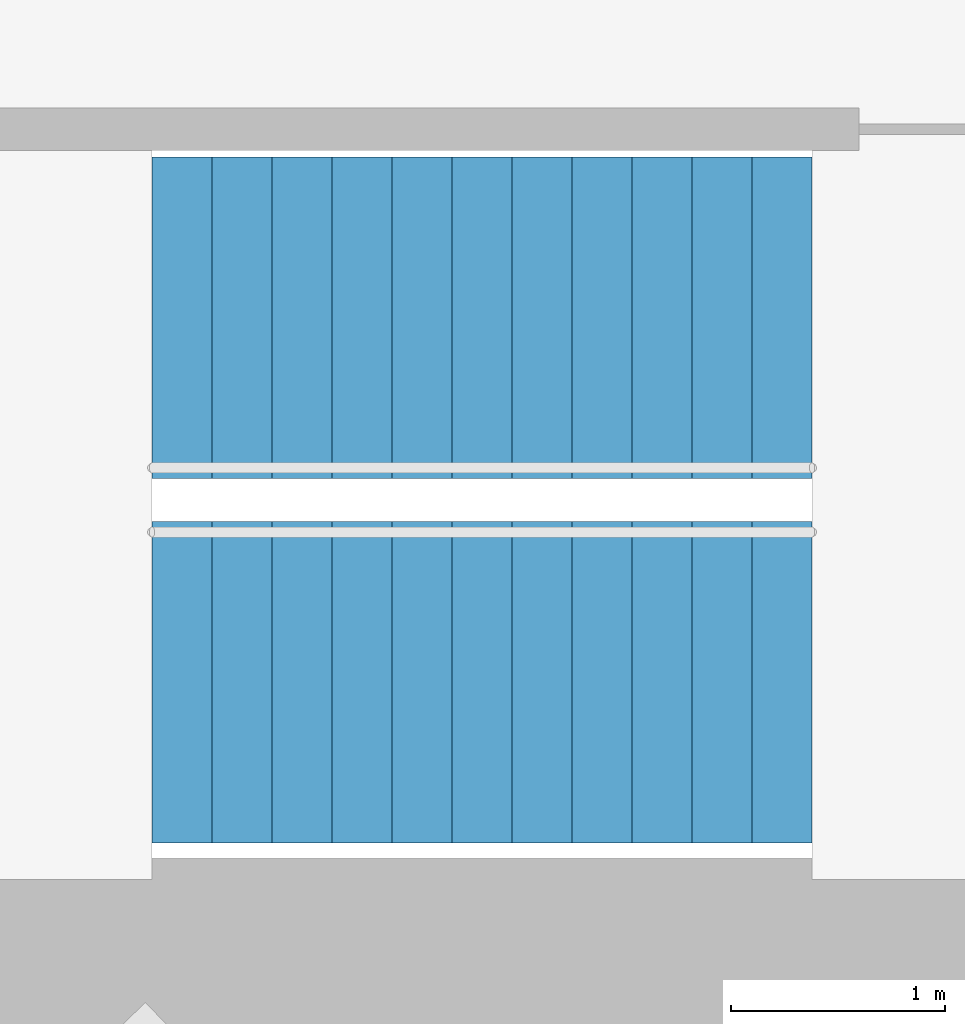
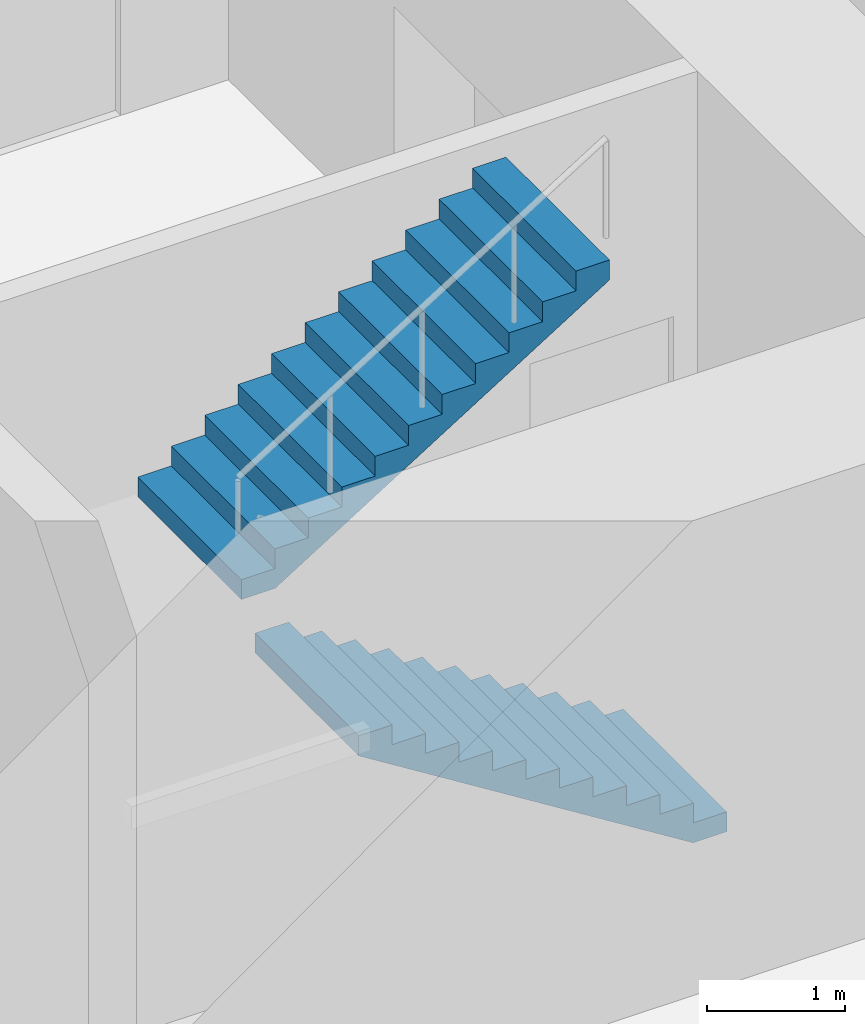
# One storey, part 16 of 17: 2 stair flights, 1 element without a shape of its own.
"""IFC4 building model written with IfcOpenShell, lengths in metres."""

from ifc_helpers import new_model, si_unit, direction, frame, origin, place, context, subcontext, project, spatial, triangles, material, type_object, element, aggregate, save


model = new_model("IFC4")

# Units and contexts
model_context = context("Model", 3, precision=1e-05, world=origin(), true_north=direction((0.0, 1.0)))
body_context = subcontext(model_context, "Body", "Model", "MODEL_VIEW")
ifc_project = project(units=[si_unit("LENGTHUNIT", "METRE"), si_unit("AREAUNIT", "SQUARE_METRE"), si_unit("VOLUMEUNIT", "CUBIC_METRE"), si_unit("PLANEANGLEUNIT", "RADIAN"), si_unit("MASSUNIT", "GRAM", prefix="KILO")], contexts=[model_context])

# Site, building, storey
site_placement = place(None, origin())
site = spatial("IfcSite", under=ifc_project, at=site_placement, CompositionType="ELEMENT")
building_placement = place(site_placement, origin())
building = spatial("IfcBuilding", under=site, at=building_placement, Name="Lantaw Convention Tower", CompositionType="ELEMENT")
storey_placement = place(building_placement, frame((0.0, 0.0, 125.800048828125)))
storey = spatial("IfcBuildingStorey", under=building, at=storey_placement, Name="L29", CompositionType="ELEMENT", Elevation=125.800048828125)

# Stair, stair flights
ifc_material = material(Name="Concrete C35/45", Category="concrete")
stair_type = type_object("IfcStairType", Name="Exit stair 1500 riser 175 in 2 flights", PredefinedType="HALF_TURN_STAIR", material=ifc_material)
stair_placement = place(storey_placement, origin())
stair = element("IfcStair", 1, at=stair_placement, inside=storey, type_object=stair_type, Name="Exit stair S2 L29", PredefinedType="HALF_TURN_STAIR")
stair_flight_type = type_object("IfcStairFlightType", Name="Stair flight 1500 riser 175", PredefinedType="STRAIGHT", material=ifc_material)
stair_flight_1_placement = place(storey_placement, frame((10.580078125, -5.97998046875, 0.0), z_axis=(0.0, 0.0, 1.0), x_axis=(-1.0, 0.0, 0.0)))
stair_flight_1 = element("IfcStairFlight", 2, at=stair_flight_1_placement, type_object=stair_flight_type, Name="S2 flight 1", NumberOfRisers=12, NumberOfTreads=11, PredefinedType="STRAIGHT", RiserHeight=0.175, TreadLength=0.28, context=body_context, shape_type="Tessellation", body=[
    triangles([(0.0, 0.75, 0.0), (0.0, 0.75, 0.175), (0.28, 0.75, 0.0), (0.28, 0.75, 0.175), (0.28, 0.75, 0.35), (0.28283517651771284, 0.75, 0.0), (0.28283517651771284, 0.75, 0.35), (0.56, 0.75, 0.17322801467642948), (0.56, 0.75, 0.35), (0.56, 0.75, 0.5249999999999999), (0.8400000000000001, 0.75, 0.34822801467642944), (0.8400000000000001, 0.75, 0.5249999999999999), (0.8400000000000001, 0.75, 0.7), (1.12, 0.75, 0.5232280146764294), (1.12, 0.75, 0.7), (1.12, 0.75, 0.875), (1.4000000000000001, 0.75, 0.6982280146764295), (1.4000000000000001, 0.75, 0.875), (1.4000000000000001, 0.75, 1.0499999999999998), (1.6800000000000002, 0.75, 0.8732280146764294), (1.6800000000000002, 0.75, 1.0499999999999998), (1.6800000000000002, 0.75, 1.2249999999999999), (1.9600000000000002, 0.75, 1.0482280146764293), (1.9600000000000002, 0.75, 1.2249999999999999), (1.9600000000000002, 0.75, 1.4), (2.24, 0.75, 1.2232280146764294), (2.24, 0.75, 1.4), (2.24, 0.75, 1.575), (2.5200000000000005, 0.75, 1.3982280146764294), (2.5200000000000005, 0.75, 1.575), (2.5200000000000005, 0.75, 1.75), (2.8000000000000003, 0.75, 1.5732280146764293), (2.8000000000000003, 0.75, 1.75), (2.8000000000000003, 0.75, 1.9249999999999998), (3.08, 0.75, 1.7482280146764293), (3.08, 0.75, 1.9249999999999998), (0.0, -0.75, 0.0), (0.0, -0.75, 0.175), (0.28, -0.75, 0.0), (0.28, -0.75, 0.175), (0.28, -0.75, 0.35), (0.28283517651771284, -0.75, 0.0), (0.28283517651771284, -0.75, 0.35), (0.56, -0.75, 0.17322801467642948), (0.56, -0.75, 0.35), (0.56, -0.75, 0.5249999999999999), (0.8400000000000001, -0.75, 0.34822801467642944), (0.8400000000000001, -0.75, 0.5249999999999999), (0.8400000000000001, -0.75, 0.7), (1.12, -0.75, 0.5232280146764294), (1.12, -0.75, 0.7), (1.12, -0.75, 0.875), (1.4000000000000001, -0.75, 0.6982280146764295), (1.4000000000000001, -0.75, 0.875), (1.4000000000000001, -0.75, 1.0499999999999998), (1.6800000000000002, -0.75, 0.8732280146764294), (1.6800000000000002, -0.75, 1.0499999999999998), (1.6800000000000002, -0.75, 1.2249999999999999), (1.9600000000000002, -0.75, 1.0482280146764293), (1.9600000000000002, -0.75, 1.2249999999999999), (1.9600000000000002, -0.75, 1.4), (2.24, -0.75, 1.2232280146764294), (2.24, -0.75, 1.4), (2.24, -0.75, 1.575), (2.5200000000000005, -0.75, 1.3982280146764294), (2.5200000000000005, -0.75, 1.575), (2.5200000000000005, -0.75, 1.75), (2.8000000000000003, -0.75, 1.5732280146764293), (2.8000000000000003, -0.75, 1.75), (2.8000000000000003, -0.75, 1.9249999999999998), (3.08, -0.75, 1.7482280146764293), (3.08, -0.75, 1.9249999999999998), (0.0, 0.15000000000000002, 0.175), (0.0, 0.15000000000000002, 0.0), (0.0, 0.0, 0.175), (0.0, 0.0, 0.0), (0.0, -0.15000000000000002, 0.175), (0.0, -0.15000000000000002, 0.0), (0.28, 0.15000000000000002, 0.35), (0.28, 0.15000000000000002, 0.175), (0.28, 0.0, 0.35), (0.28, 0.0, 0.175), (0.28, -0.15000000000000002, 0.35), (0.28, -0.15000000000000002, 0.175), (0.56, 0.15000000000000002, 0.5249999999999999), (0.56, 0.15000000000000002, 0.35), (0.56, 0.0, 0.5249999999999999), (0.56, 0.0, 0.35), (0.56, -0.15000000000000002, 0.5249999999999999), (0.56, -0.15000000000000002, 0.35), (0.8400000000000001, 0.15000000000000002, 0.7), (0.8400000000000001, 0.15000000000000002, 0.5249999999999999), (0.8400000000000001, 0.0, 0.7), (0.8400000000000001, 0.0, 0.5249999999999999), (0.8400000000000001, -0.15000000000000002, 0.7), (0.8400000000000001, -0.15000000000000002, 0.5249999999999999), (1.12, 0.15000000000000002, 0.875), (1.12, 0.15000000000000002, 0.7), (1.12, 0.0, 0.875), (1.12, 0.0, 0.7), (1.12, -0.15000000000000002, 0.875), (1.12, -0.15000000000000002, 0.7), (1.4000000000000001, 0.15000000000000002, 1.0499999999999998), (1.4000000000000001, 0.15000000000000002, 0.875), (1.4000000000000001, 0.0, 1.0499999999999998), (1.4000000000000001, 0.0, 0.875), (1.4000000000000001, -0.15000000000000002, 1.0499999999999998), (1.4000000000000001, -0.15000000000000002, 0.875), (1.6800000000000002, 0.15000000000000002, 1.2249999999999999), (1.6800000000000002, 0.15000000000000002, 1.0499999999999998), (1.6800000000000002, 0.0, 1.2249999999999999), (1.6800000000000002, 0.0, 1.0499999999999998), (1.6800000000000002, -0.15000000000000002, 1.2249999999999999), (1.6800000000000002, -0.15000000000000002, 1.0499999999999998), (1.9600000000000002, 0.15000000000000002, 1.4), (1.9600000000000002, 0.15000000000000002, 1.2249999999999999), (1.9600000000000002, 0.0, 1.4), (1.9600000000000002, 0.0, 1.2249999999999999), (1.9600000000000002, -0.15000000000000002, 1.4), (1.9600000000000002, -0.15000000000000002, 1.2249999999999999), (2.24, 0.15000000000000002, 1.575), (2.24, 0.15000000000000002, 1.4), (2.24, 0.0, 1.575), (2.24, 0.0, 1.4), (2.24, -0.15000000000000002, 1.575), (2.24, -0.15000000000000002, 1.4), (2.5200000000000005, 0.15000000000000002, 1.75), (2.5200000000000005, 0.15000000000000002, 1.575), (2.5200000000000005, 0.0, 1.75), (2.5200000000000005, 0.0, 1.575), (2.5200000000000005, -0.15000000000000002, 1.75), (2.5200000000000005, -0.15000000000000002, 1.575), (2.8000000000000003, 0.15000000000000002, 1.9249999999999998), (2.8000000000000003, 0.15000000000000002, 1.75), (2.8000000000000003, 0.0, 1.9249999999999998), (2.8000000000000003, 0.0, 1.75), (2.8000000000000003, -0.15000000000000002, 1.9249999999999998), (2.8000000000000003, -0.15000000000000002, 1.75), (0.28283517651771284, 0.15000000000000002, 0.35), (0.28283517651771284, 0.0, 0.35), (0.28283517651771284, -0.15000000000000002, 0.35), (3.08, 0.15000000000000002, 1.9249999999999998), (3.08, 0.0, 1.9249999999999998), (3.08, -0.15000000000000002, 1.9249999999999998), (3.08, 0.15000000000000002, 1.7482280146764293), (3.08, 0.0, 1.7482280146764293), (3.08, -0.15000000000000002, 1.7482280146764293), (2.8000000000000003, 0.15000000000000002, 1.5732280146764293), (2.8000000000000003, 0.0, 1.5732280146764293), (2.8000000000000003, -0.15000000000000002, 1.5732280146764293), (2.5200000000000005, 0.15000000000000002, 1.3982280146764294), (2.5200000000000005, 0.0, 1.3982280146764294), (2.5200000000000005, -0.15000000000000002, 1.3982280146764294), (2.24, 0.15000000000000002, 1.2232280146764294), (2.24, 0.0, 1.2232280146764294), (2.24, -0.15000000000000002, 1.2232280146764294), (1.9600000000000002, 0.15000000000000002, 1.0482280146764293), (1.9600000000000002, 0.0, 1.0482280146764293), (1.9600000000000002, -0.15000000000000002, 1.0482280146764293), (1.6800000000000002, 0.15000000000000002, 0.8732280146764294), (1.6800000000000002, 0.0, 0.8732280146764294), (1.6800000000000002, -0.15000000000000002, 0.8732280146764294), (1.4000000000000001, 0.15000000000000002, 0.6982280146764295), (1.4000000000000001, 0.0, 0.6982280146764295), (1.4000000000000001, -0.15000000000000002, 0.6982280146764295), (1.12, 0.15000000000000002, 0.5232280146764294), (1.12, 0.0, 0.5232280146764294), (1.12, -0.15000000000000002, 0.5232280146764294), (0.8400000000000001, 0.15000000000000002, 0.34822801467642944), (0.8400000000000001, 0.0, 0.34822801467642944), (0.8400000000000001, -0.15000000000000002, 0.34822801467642944), (0.56, 0.15000000000000002, 0.17322801467642948), (0.56, 0.0, 0.17322801467642948), (0.56, -0.15000000000000002, 0.17322801467642948), (0.28283517651771284, 0.15000000000000002, 0.0), (0.28283517651771284, 0.0, 0.0), (0.28283517651771284, -0.15000000000000002, 0.0), (0.28, 0.15000000000000002, 0.0), (0.28, 0.0, 0.0), (0.28, -0.15000000000000002, 0.0)], [[1, 4, 3], [1, 2, 4], [3, 4, 6], [4, 7, 6], [4, 5, 7], [6, 9, 8], [6, 7, 9], [8, 9, 11], [9, 12, 11], [9, 10, 12], [11, 12, 14], [12, 15, 14], [12, 13, 15], [14, 15, 17], [15, 18, 17], [15, 16, 18], [17, 18, 20], [18, 21, 20], [18, 19, 21], [20, 21, 23], [21, 24, 23], [21, 22, 24], [23, 24, 26], [24, 27, 26], [24, 25, 27], [26, 27, 29], [27, 30, 29], [27, 28, 30], [29, 30, 32], [30, 33, 32], [30, 31, 33], [32, 33, 35], [33, 36, 35], [33, 34, 36], [37, 39, 40], [37, 40, 38], [39, 42, 40], [40, 42, 43], [40, 43, 41], [42, 44, 45], [42, 45, 43], [44, 47, 45], [45, 47, 48], [45, 48, 46], [47, 50, 48], [48, 50, 51], [48, 51, 49], [50, 53, 51], [51, 53, 54], [51, 54, 52], [53, 56, 54], [54, 56, 57], [54, 57, 55], [56, 59, 57], [57, 59, 60], [57, 60, 58], [59, 62, 60], [60, 62, 63], [60, 63, 61], [62, 65, 63], [63, 65, 66], [63, 66, 64], [65, 68, 66], [66, 68, 69], [66, 69, 67], [68, 71, 69], [69, 71, 72], [69, 72, 70], [1, 73, 2], [1, 74, 73], [74, 75, 73], [74, 76, 75], [76, 77, 75], [76, 78, 77], [78, 38, 77], [78, 37, 38], [4, 79, 5], [4, 80, 79], [80, 81, 79], [80, 82, 81], [82, 83, 81], [82, 84, 83], [84, 41, 83], [84, 40, 41], [9, 85, 10], [9, 86, 85], [86, 87, 85], [86, 88, 87], [88, 89, 87], [88, 90, 89], [90, 46, 89], [90, 45, 46], [12, 91, 13], [12, 92, 91], [92, 93, 91], [92, 94, 93], [94, 95, 93], [94, 96, 95], [96, 49, 95], [96, 48, 49], [15, 97, 16], [15, 98, 97], [98, 99, 97], [98, 100, 99], [100, 101, 99], [100, 102, 101], [102, 52, 101], [102, 51, 52], [18, 103, 19], [18, 104, 103], [104, 105, 103], [104, 106, 105], [106, 107, 105], [106, 108, 107], [108, 55, 107], [108, 54, 55], [21, 109, 22], [21, 110, 109], [110, 111, 109], [110, 112, 111], [112, 113, 111], [112, 114, 113], [114, 58, 113], [114, 57, 58], [24, 115, 25], [24, 116, 115], [116, 117, 115], [116, 118, 117], [118, 119, 117], [118, 120, 119], [120, 61, 119], [120, 60, 61], [27, 121, 28], [27, 122, 121], [122, 123, 121], [122, 124, 123], [124, 125, 123], [124, 126, 125], [126, 64, 125], [126, 63, 64], [30, 127, 31], [30, 128, 127], [128, 129, 127], [128, 130, 129], [130, 131, 129], [130, 132, 131], [132, 67, 131], [132, 66, 67], [33, 133, 34], [33, 134, 133], [134, 135, 133], [134, 136, 135], [136, 137, 135], [136, 138, 137], [138, 70, 137], [138, 69, 70], [2, 80, 4], [2, 73, 80], [73, 82, 80], [73, 75, 82], [75, 84, 82], [75, 77, 84], [77, 40, 84], [77, 38, 40], [5, 139, 7], [5, 79, 139], [79, 140, 139], [79, 81, 140], [81, 141, 140], [81, 83, 141], [83, 43, 141], [83, 41, 43], [7, 86, 9], [7, 139, 86], [139, 88, 86], [139, 140, 88], [140, 90, 88], [140, 141, 90], [141, 45, 90], [141, 43, 45], [10, 92, 12], [10, 85, 92], [85, 94, 92], [85, 87, 94], [87, 96, 94], [87, 89, 96], [89, 48, 96], [89, 46, 48], [13, 98, 15], [13, 91, 98], [91, 100, 98], [91, 93, 100], [93, 102, 100], [93, 95, 102], [95, 51, 102], [95, 49, 51], [16, 104, 18], [16, 97, 104], [97, 106, 104], [97, 99, 106], [99, 108, 106], [99, 101, 108], [101, 54, 108], [101, 52, 54], [19, 110, 21], [19, 103, 110], [103, 112, 110], [103, 105, 112], [105, 114, 112], [105, 107, 114], [107, 57, 114], [107, 55, 57], [22, 116, 24], [22, 109, 116], [109, 118, 116], [109, 111, 118], [111, 120, 118], [111, 113, 120], [113, 60, 120], [113, 58, 60], [25, 122, 27], [25, 115, 122], [115, 124, 122], [115, 117, 124], [117, 126, 124], [117, 119, 126], [119, 63, 126], [119, 61, 63], [28, 128, 30], [28, 121, 128], [121, 130, 128], [121, 123, 130], [123, 132, 130], [123, 125, 132], [125, 66, 132], [125, 64, 66], [31, 134, 33], [31, 127, 134], [127, 136, 134], [127, 129, 136], [129, 138, 136], [129, 131, 138], [131, 69, 138], [131, 67, 69], [34, 142, 36], [34, 133, 142], [133, 143, 142], [133, 135, 143], [135, 144, 143], [135, 137, 144], [137, 72, 144], [137, 70, 72], [36, 145, 35], [36, 142, 145], [142, 146, 145], [142, 143, 146], [143, 147, 146], [143, 144, 147], [144, 71, 147], [144, 72, 71], [35, 148, 32], [35, 145, 148], [145, 149, 148], [145, 146, 149], [146, 150, 149], [146, 147, 150], [147, 68, 150], [147, 71, 68], [32, 151, 29], [32, 148, 151], [148, 152, 151], [148, 149, 152], [149, 153, 152], [149, 150, 153], [150, 65, 153], [150, 68, 65], [29, 154, 26], [29, 151, 154], [151, 155, 154], [151, 152, 155], [152, 156, 155], [152, 153, 156], [153, 62, 156], [153, 65, 62], [26, 157, 23], [26, 154, 157], [154, 158, 157], [154, 155, 158], [155, 159, 158], [155, 156, 159], [156, 59, 159], [156, 62, 59], [23, 160, 20], [23, 157, 160], [157, 161, 160], [157, 158, 161], [158, 162, 161], [158, 159, 162], [159, 56, 162], [159, 59, 56], [20, 163, 17], [20, 160, 163], [160, 164, 163], [160, 161, 164], [161, 165, 164], [161, 162, 165], [162, 53, 165], [162, 56, 53], [17, 166, 14], [17, 163, 166], [163, 167, 166], [163, 164, 167], [164, 168, 167], [164, 165, 168], [165, 50, 168], [165, 53, 50], [14, 169, 11], [14, 166, 169], [166, 170, 169], [166, 167, 170], [167, 171, 170], [167, 168, 171], [168, 47, 171], [168, 50, 47], [11, 172, 8], [11, 169, 172], [169, 173, 172], [169, 170, 173], [170, 174, 173], [170, 171, 174], [171, 44, 174], [171, 47, 44], [8, 175, 6], [8, 172, 175], [172, 176, 175], [172, 173, 176], [173, 177, 176], [173, 174, 177], [174, 42, 177], [174, 44, 42], [6, 178, 3], [6, 175, 178], [175, 179, 178], [175, 176, 179], [176, 180, 179], [176, 177, 180], [177, 39, 180], [177, 42, 39], [3, 74, 1], [3, 178, 74], [178, 76, 74], [178, 179, 76], [179, 78, 76], [179, 180, 78], [180, 37, 78], [180, 39, 37]], closed=True),
])
stair_flight_2_placement = place(storey_placement, frame((7.5, -4.280029296875, 2.099853515625), z_axis=(0.0, 0.0, 1.0), x_axis=(1.0, 0.0, 0.0)))
stair_flight_2 = element("IfcStairFlight", 3, at=stair_flight_2_placement, type_object=stair_flight_type, Name="S2 flight 2", NumberOfRisers=12, NumberOfTreads=11, PredefinedType="STRAIGHT", RiserHeight=0.175, TreadLength=0.28, context=body_context, shape_type="Tessellation", body=[
    triangles([(0.0, 0.75, 0.0), (0.0, 0.75, 0.175), (0.28, 0.75, 0.0), (0.28, 0.75, 0.175), (0.28, 0.75, 0.35), (0.28283517651771284, 0.75, 0.0), (0.28283517651771284, 0.75, 0.35), (0.56, 0.75, 0.17322801467642948), (0.56, 0.75, 0.35), (0.56, 0.75, 0.5249999999999999), (0.8400000000000001, 0.75, 0.34822801467642944), (0.8400000000000001, 0.75, 0.5249999999999999), (0.8400000000000001, 0.75, 0.7), (1.12, 0.75, 0.5232280146764294), (1.12, 0.75, 0.7), (1.12, 0.75, 0.875), (1.4000000000000001, 0.75, 0.6982280146764295), (1.4000000000000001, 0.75, 0.875), (1.4000000000000001, 0.75, 1.0499999999999998), (1.6800000000000002, 0.75, 0.8732280146764294), (1.6800000000000002, 0.75, 1.0499999999999998), (1.6800000000000002, 0.75, 1.2249999999999999), (1.9600000000000002, 0.75, 1.0482280146764293), (1.9600000000000002, 0.75, 1.2249999999999999), (1.9600000000000002, 0.75, 1.4), (2.24, 0.75, 1.2232280146764294), (2.24, 0.75, 1.4), (2.24, 0.75, 1.575), (2.5200000000000005, 0.75, 1.3982280146764294), (2.5200000000000005, 0.75, 1.575), (2.5200000000000005, 0.75, 1.75), (2.8000000000000003, 0.75, 1.5732280146764293), (2.8000000000000003, 0.75, 1.75), (2.8000000000000003, 0.75, 1.9249999999999998), (3.08, 0.75, 1.7482280146764293), (3.08, 0.75, 1.9249999999999998), (0.0, -0.75, 0.0), (0.0, -0.75, 0.175), (0.28, -0.75, 0.0), (0.28, -0.75, 0.175), (0.28, -0.75, 0.35), (0.28283517651771284, -0.75, 0.0), (0.28283517651771284, -0.75, 0.35), (0.56, -0.75, 0.17322801467642948), (0.56, -0.75, 0.35), (0.56, -0.75, 0.5249999999999999), (0.8400000000000001, -0.75, 0.34822801467642944), (0.8400000000000001, -0.75, 0.5249999999999999), (0.8400000000000001, -0.75, 0.7), (1.12, -0.75, 0.5232280146764294), (1.12, -0.75, 0.7), (1.12, -0.75, 0.875), (1.4000000000000001, -0.75, 0.6982280146764295), (1.4000000000000001, -0.75, 0.875), (1.4000000000000001, -0.75, 1.0499999999999998), (1.6800000000000002, -0.75, 0.8732280146764294), (1.6800000000000002, -0.75, 1.0499999999999998), (1.6800000000000002, -0.75, 1.2249999999999999), (1.9600000000000002, -0.75, 1.0482280146764293), (1.9600000000000002, -0.75, 1.2249999999999999), (1.9600000000000002, -0.75, 1.4), (2.24, -0.75, 1.2232280146764294), (2.24, -0.75, 1.4), (2.24, -0.75, 1.575), (2.5200000000000005, -0.75, 1.3982280146764294), (2.5200000000000005, -0.75, 1.575), (2.5200000000000005, -0.75, 1.75), (2.8000000000000003, -0.75, 1.5732280146764293), (2.8000000000000003, -0.75, 1.75), (2.8000000000000003, -0.75, 1.9249999999999998), (3.08, -0.75, 1.7482280146764293), (3.08, -0.75, 1.9249999999999998), (0.0, 0.15000000000000002, 0.175), (0.0, 0.15000000000000002, 0.0), (0.0, 0.0, 0.175), (0.0, 0.0, 0.0), (0.0, -0.15000000000000002, 0.175), (0.0, -0.15000000000000002, 0.0), (0.28, 0.15000000000000002, 0.35), (0.28, 0.15000000000000002, 0.175), (0.28, 0.0, 0.35), (0.28, 0.0, 0.175), (0.28, -0.15000000000000002, 0.35), (0.28, -0.15000000000000002, 0.175), (0.56, 0.15000000000000002, 0.5249999999999999), (0.56, 0.15000000000000002, 0.35), (0.56, 0.0, 0.5249999999999999), (0.56, 0.0, 0.35), (0.56, -0.15000000000000002, 0.5249999999999999), (0.56, -0.15000000000000002, 0.35), (0.8400000000000001, 0.15000000000000002, 0.7), (0.8400000000000001, 0.15000000000000002, 0.5249999999999999), (0.8400000000000001, 0.0, 0.7), (0.8400000000000001, 0.0, 0.5249999999999999), (0.8400000000000001, -0.15000000000000002, 0.7), (0.8400000000000001, -0.15000000000000002, 0.5249999999999999), (1.12, 0.15000000000000002, 0.875), (1.12, 0.15000000000000002, 0.7), (1.12, 0.0, 0.875), (1.12, 0.0, 0.7), (1.12, -0.15000000000000002, 0.875), (1.12, -0.15000000000000002, 0.7), (1.4000000000000001, 0.15000000000000002, 1.0499999999999998), (1.4000000000000001, 0.15000000000000002, 0.875), (1.4000000000000001, 0.0, 1.0499999999999998), (1.4000000000000001, 0.0, 0.875), (1.4000000000000001, -0.15000000000000002, 1.0499999999999998), (1.4000000000000001, -0.15000000000000002, 0.875), (1.6800000000000002, 0.15000000000000002, 1.2249999999999999), (1.6800000000000002, 0.15000000000000002, 1.0499999999999998), (1.6800000000000002, 0.0, 1.2249999999999999), (1.6800000000000002, 0.0, 1.0499999999999998), (1.6800000000000002, -0.15000000000000002, 1.2249999999999999), (1.6800000000000002, -0.15000000000000002, 1.0499999999999998), (1.9600000000000002, 0.15000000000000002, 1.4), (1.9600000000000002, 0.15000000000000002, 1.2249999999999999), (1.9600000000000002, 0.0, 1.4), (1.9600000000000002, 0.0, 1.2249999999999999), (1.9600000000000002, -0.15000000000000002, 1.4), (1.9600000000000002, -0.15000000000000002, 1.2249999999999999), (2.24, 0.15000000000000002, 1.575), (2.24, 0.15000000000000002, 1.4), (2.24, 0.0, 1.575), (2.24, 0.0, 1.4), (2.24, -0.15000000000000002, 1.575), (2.24, -0.15000000000000002, 1.4), (2.5200000000000005, 0.15000000000000002, 1.75), (2.5200000000000005, 0.15000000000000002, 1.575), (2.5200000000000005, 0.0, 1.75), (2.5200000000000005, 0.0, 1.575), (2.5200000000000005, -0.15000000000000002, 1.75), (2.5200000000000005, -0.15000000000000002, 1.575), (2.8000000000000003, 0.15000000000000002, 1.9249999999999998), (2.8000000000000003, 0.15000000000000002, 1.75), (2.8000000000000003, 0.0, 1.9249999999999998), (2.8000000000000003, 0.0, 1.75), (2.8000000000000003, -0.15000000000000002, 1.9249999999999998), (2.8000000000000003, -0.15000000000000002, 1.75), (0.28283517651771284, 0.15000000000000002, 0.35), (0.28283517651771284, 0.0, 0.35), (0.28283517651771284, -0.15000000000000002, 0.35), (3.08, 0.15000000000000002, 1.9249999999999998), (3.08, 0.0, 1.9249999999999998), (3.08, -0.15000000000000002, 1.9249999999999998), (3.08, 0.15000000000000002, 1.7482280146764293), (3.08, 0.0, 1.7482280146764293), (3.08, -0.15000000000000002, 1.7482280146764293), (2.8000000000000003, 0.15000000000000002, 1.5732280146764293), (2.8000000000000003, 0.0, 1.5732280146764293), (2.8000000000000003, -0.15000000000000002, 1.5732280146764293), (2.5200000000000005, 0.15000000000000002, 1.3982280146764294), (2.5200000000000005, 0.0, 1.3982280146764294), (2.5200000000000005, -0.15000000000000002, 1.3982280146764294), (2.24, 0.15000000000000002, 1.2232280146764294), (2.24, 0.0, 1.2232280146764294), (2.24, -0.15000000000000002, 1.2232280146764294), (1.9600000000000002, 0.15000000000000002, 1.0482280146764293), (1.9600000000000002, 0.0, 1.0482280146764293), (1.9600000000000002, -0.15000000000000002, 1.0482280146764293), (1.6800000000000002, 0.15000000000000002, 0.8732280146764294), (1.6800000000000002, 0.0, 0.8732280146764294), (1.6800000000000002, -0.15000000000000002, 0.8732280146764294), (1.4000000000000001, 0.15000000000000002, 0.6982280146764295), (1.4000000000000001, 0.0, 0.6982280146764295), (1.4000000000000001, -0.15000000000000002, 0.6982280146764295), (1.12, 0.15000000000000002, 0.5232280146764294), (1.12, 0.0, 0.5232280146764294), (1.12, -0.15000000000000002, 0.5232280146764294), (0.8400000000000001, 0.15000000000000002, 0.34822801467642944), (0.8400000000000001, 0.0, 0.34822801467642944), (0.8400000000000001, -0.15000000000000002, 0.34822801467642944), (0.56, 0.15000000000000002, 0.17322801467642948), (0.56, 0.0, 0.17322801467642948), (0.56, -0.15000000000000002, 0.17322801467642948), (0.28283517651771284, 0.15000000000000002, 0.0), (0.28283517651771284, 0.0, 0.0), (0.28283517651771284, -0.15000000000000002, 0.0), (0.28, 0.15000000000000002, 0.0), (0.28, 0.0, 0.0), (0.28, -0.15000000000000002, 0.0)], [[1, 4, 3], [1, 2, 4], [3, 4, 6], [4, 7, 6], [4, 5, 7], [6, 9, 8], [6, 7, 9], [8, 9, 11], [9, 12, 11], [9, 10, 12], [11, 12, 14], [12, 15, 14], [12, 13, 15], [14, 15, 17], [15, 18, 17], [15, 16, 18], [17, 18, 20], [18, 21, 20], [18, 19, 21], [20, 21, 23], [21, 24, 23], [21, 22, 24], [23, 24, 26], [24, 27, 26], [24, 25, 27], [26, 27, 29], [27, 30, 29], [27, 28, 30], [29, 30, 32], [30, 33, 32], [30, 31, 33], [32, 33, 35], [33, 36, 35], [33, 34, 36], [37, 39, 40], [37, 40, 38], [39, 42, 40], [40, 42, 43], [40, 43, 41], [42, 44, 45], [42, 45, 43], [44, 47, 45], [45, 47, 48], [45, 48, 46], [47, 50, 48], [48, 50, 51], [48, 51, 49], [50, 53, 51], [51, 53, 54], [51, 54, 52], [53, 56, 54], [54, 56, 57], [54, 57, 55], [56, 59, 57], [57, 59, 60], [57, 60, 58], [59, 62, 60], [60, 62, 63], [60, 63, 61], [62, 65, 63], [63, 65, 66], [63, 66, 64], [65, 68, 66], [66, 68, 69], [66, 69, 67], [68, 71, 69], [69, 71, 72], [69, 72, 70], [1, 73, 2], [1, 74, 73], [74, 75, 73], [74, 76, 75], [76, 77, 75], [76, 78, 77], [78, 38, 77], [78, 37, 38], [4, 79, 5], [4, 80, 79], [80, 81, 79], [80, 82, 81], [82, 83, 81], [82, 84, 83], [84, 41, 83], [84, 40, 41], [9, 85, 10], [9, 86, 85], [86, 87, 85], [86, 88, 87], [88, 89, 87], [88, 90, 89], [90, 46, 89], [90, 45, 46], [12, 91, 13], [12, 92, 91], [92, 93, 91], [92, 94, 93], [94, 95, 93], [94, 96, 95], [96, 49, 95], [96, 48, 49], [15, 97, 16], [15, 98, 97], [98, 99, 97], [98, 100, 99], [100, 101, 99], [100, 102, 101], [102, 52, 101], [102, 51, 52], [18, 103, 19], [18, 104, 103], [104, 105, 103], [104, 106, 105], [106, 107, 105], [106, 108, 107], [108, 55, 107], [108, 54, 55], [21, 109, 22], [21, 110, 109], [110, 111, 109], [110, 112, 111], [112, 113, 111], [112, 114, 113], [114, 58, 113], [114, 57, 58], [24, 115, 25], [24, 116, 115], [116, 117, 115], [116, 118, 117], [118, 119, 117], [118, 120, 119], [120, 61, 119], [120, 60, 61], [27, 121, 28], [27, 122, 121], [122, 123, 121], [122, 124, 123], [124, 125, 123], [124, 126, 125], [126, 64, 125], [126, 63, 64], [30, 127, 31], [30, 128, 127], [128, 129, 127], [128, 130, 129], [130, 131, 129], [130, 132, 131], [132, 67, 131], [132, 66, 67], [33, 133, 34], [33, 134, 133], [134, 135, 133], [134, 136, 135], [136, 137, 135], [136, 138, 137], [138, 70, 137], [138, 69, 70], [2, 80, 4], [2, 73, 80], [73, 82, 80], [73, 75, 82], [75, 84, 82], [75, 77, 84], [77, 40, 84], [77, 38, 40], [5, 139, 7], [5, 79, 139], [79, 140, 139], [79, 81, 140], [81, 141, 140], [81, 83, 141], [83, 43, 141], [83, 41, 43], [7, 86, 9], [7, 139, 86], [139, 88, 86], [139, 140, 88], [140, 90, 88], [140, 141, 90], [141, 45, 90], [141, 43, 45], [10, 92, 12], [10, 85, 92], [85, 94, 92], [85, 87, 94], [87, 96, 94], [87, 89, 96], [89, 48, 96], [89, 46, 48], [13, 98, 15], [13, 91, 98], [91, 100, 98], [91, 93, 100], [93, 102, 100], [93, 95, 102], [95, 51, 102], [95, 49, 51], [16, 104, 18], [16, 97, 104], [97, 106, 104], [97, 99, 106], [99, 108, 106], [99, 101, 108], [101, 54, 108], [101, 52, 54], [19, 110, 21], [19, 103, 110], [103, 112, 110], [103, 105, 112], [105, 114, 112], [105, 107, 114], [107, 57, 114], [107, 55, 57], [22, 116, 24], [22, 109, 116], [109, 118, 116], [109, 111, 118], [111, 120, 118], [111, 113, 120], [113, 60, 120], [113, 58, 60], [25, 122, 27], [25, 115, 122], [115, 124, 122], [115, 117, 124], [117, 126, 124], [117, 119, 126], [119, 63, 126], [119, 61, 63], [28, 128, 30], [28, 121, 128], [121, 130, 128], [121, 123, 130], [123, 132, 130], [123, 125, 132], [125, 66, 132], [125, 64, 66], [31, 134, 33], [31, 127, 134], [127, 136, 134], [127, 129, 136], [129, 138, 136], [129, 131, 138], [131, 69, 138], [131, 67, 69], [34, 142, 36], [34, 133, 142], [133, 143, 142], [133, 135, 143], [135, 144, 143], [135, 137, 144], [137, 72, 144], [137, 70, 72], [36, 145, 35], [36, 142, 145], [142, 146, 145], [142, 143, 146], [143, 147, 146], [143, 144, 147], [144, 71, 147], [144, 72, 71], [35, 148, 32], [35, 145, 148], [145, 149, 148], [145, 146, 149], [146, 150, 149], [146, 147, 150], [147, 68, 150], [147, 71, 68], [32, 151, 29], [32, 148, 151], [148, 152, 151], [148, 149, 152], [149, 153, 152], [149, 150, 153], [150, 65, 153], [150, 68, 65], [29, 154, 26], [29, 151, 154], [151, 155, 154], [151, 152, 155], [152, 156, 155], [152, 153, 156], [153, 62, 156], [153, 65, 62], [26, 157, 23], [26, 154, 157], [154, 158, 157], [154, 155, 158], [155, 159, 158], [155, 156, 159], [156, 59, 159], [156, 62, 59], [23, 160, 20], [23, 157, 160], [157, 161, 160], [157, 158, 161], [158, 162, 161], [158, 159, 162], [159, 56, 162], [159, 59, 56], [20, 163, 17], [20, 160, 163], [160, 164, 163], [160, 161, 164], [161, 165, 164], [161, 162, 165], [162, 53, 165], [162, 56, 53], [17, 166, 14], [17, 163, 166], [163, 167, 166], [163, 164, 167], [164, 168, 167], [164, 165, 168], [165, 50, 168], [165, 53, 50], [14, 169, 11], [14, 166, 169], [166, 170, 169], [166, 167, 170], [167, 171, 170], [167, 168, 171], [168, 47, 171], [168, 50, 47], [11, 172, 8], [11, 169, 172], [169, 173, 172], [169, 170, 173], [170, 174, 173], [170, 171, 174], [171, 44, 174], [171, 47, 44], [8, 175, 6], [8, 172, 175], [172, 176, 175], [172, 173, 176], [173, 177, 176], [173, 174, 177], [174, 42, 177], [174, 44, 42], [6, 178, 3], [6, 175, 178], [175, 179, 178], [175, 176, 179], [176, 180, 179], [176, 177, 180], [177, 39, 180], [177, 42, 39], [3, 74, 1], [3, 178, 74], [178, 76, 74], [178, 179, 76], [179, 78, 76], [179, 180, 78], [180, 37, 78], [180, 39, 37]], closed=True),
])
aggregate(stair, [stair_flight_1, stair_flight_2])

save(model, "model.ifc")
